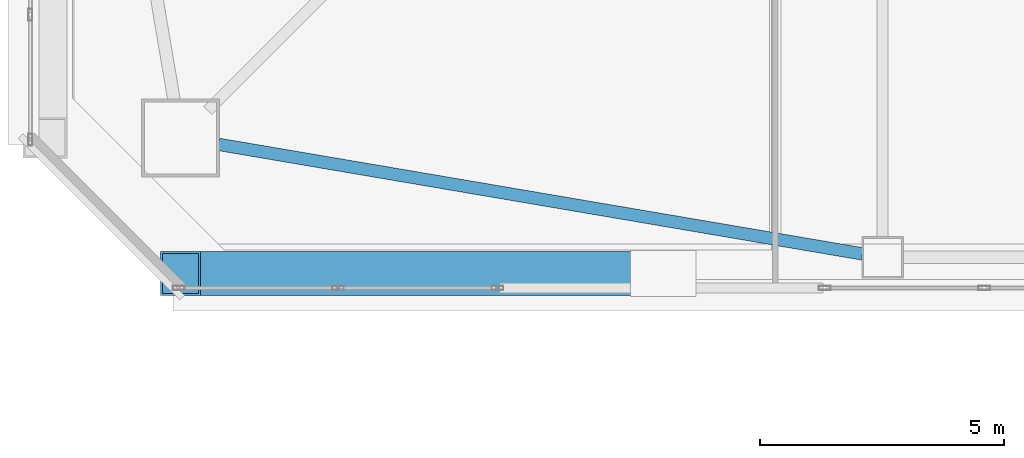
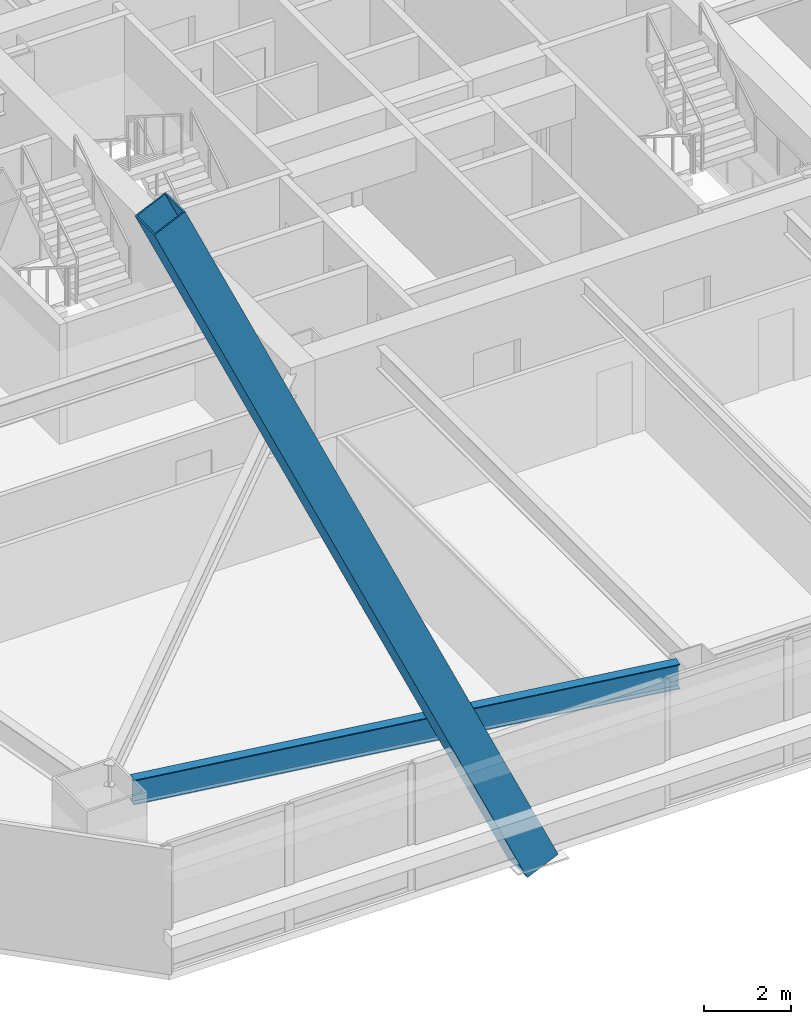
# One storey, part 4 of 75: 1 beam, 1 member.
"""IFC4 building model written with IfcOpenShell, lengths in metres."""

from ifc_helpers import new_model, si_unit, direction, frame, origin, origin_2d, place, context, subcontext, project, spatial, hollow_rectangle, i_section, extrude, material, material_profile, profile_set, type_object, element, save


model = new_model("IFC4")

# Units and contexts
model_context = context("Model", 3, precision=1e-05, world=origin(), true_north=direction((0.0, 1.0)))
body_context = subcontext(model_context, "Body", "Model", "MODEL_VIEW")
ifc_project = project(units=[si_unit("LENGTHUNIT", "METRE"), si_unit("AREAUNIT", "SQUARE_METRE"), si_unit("VOLUMEUNIT", "CUBIC_METRE"), si_unit("PLANEANGLEUNIT", "RADIAN"), si_unit("MASSUNIT", "GRAM", prefix="KILO")], contexts=[model_context])

# Site, building, storey
site_placement = place(None, origin())
site = spatial("IfcSite", under=ifc_project, at=site_placement, CompositionType="ELEMENT")
building_placement = place(site_placement, origin())
building = spatial("IfcBuilding", under=site, at=building_placement, Name="Tashvorn Skyway Center", CompositionType="ELEMENT")
storey_placement = place(building_placement, frame((0.0, 0.0, 45.89990234375)))
storey = spatial("IfcBuildingStorey", under=building, at=storey_placement, Name="L11", CompositionType="ELEMENT", Elevation=45.89990234375)

# Beam
ifc_material_1 = material(Name="Steel ASTM A992 Grade 50", Category="steel")
ifc_material_profile_1 = material_profile(ifc_material_1, i_section(OverallWidth=0.256103515625, OverallDepth=0.693115234375, WebThickness=0.014404296875, FlangeThickness=0.023681640625, at=origin_2d()), Name="W27X114")
ifc_profile_set_1 = profile_set([ifc_material_profile_1], Name="Steel ASTM A992 Grade 50")
beam_type = type_object("IfcBeamType", Name="BM-SPANDREL-W27X114", PredefinedType="SPANDREL", material=ifc_profile_set_1)
beam_placement = place(storey_placement, frame((22.983642578125, 12.066650390625, 3.003662109375), z_axis=(0.985835025551, -0.16771792509, 0.0), x_axis=(0.16771792509, 0.985835025551, 0.0)))
element("IfcBeam", 1, at=beam_placement, inside=storey, type_object=beam_type, Name="Tower 1 L11 Spandrel Beam 01", PredefinedType="SPANDREL", context=body_context, shape_type="SweptSolid", body=[
    extrude(i_section(OverallWidth=0.256103515625, OverallDepth=0.693115234375, WebThickness=0.014404296875, FlangeThickness=0.023681640625, at=origin_2d()), origin(), (0.0, 0.0, 1.0), 13.39208984375),
])

# Member
ifc_material_2 = material(Name="Steel ASTM A572 Grade 50", Category="steel")
ifc_material_profile_2 = material_profile(ifc_material_2, hollow_rectangle(XDim=0.89990234375, YDim=0.89990234375, WallThickness=0.0400390625, at=origin_2d()), Name="BOX900x900x40")
ifc_profile_set_2 = profile_set([ifc_material_profile_2], Name="Steel ASTM A572 Grade 50")
member_type = type_object("IfcMemberType", Name="MEM-MB-900", PredefinedType="BRACE", material=ifc_profile_set_2)
member_placement = place(storey_placement, frame((32.10009765625, 9.419921875, -0.449951171875), z_axis=(-0.418259378631, 0.0, 0.908327634825), x_axis=(0.0, -1.0, 0.0)))
element("IfcMember", 2, at=member_placement, inside=storey, type_object=member_type, Name="Tower 1 Zone 1 S Chevron Mega-Brace L2", PredefinedType="BRACE", context=body_context, shape_type="SweptSolid", body=[
    extrude(hollow_rectangle(XDim=0.89990234375, YDim=0.89990234375, WallThickness=0.0400390625, at=origin_2d()), origin(), (0.0, 0.0, 1.0), 23.669921875),
])

save(model, "model.ifc")
